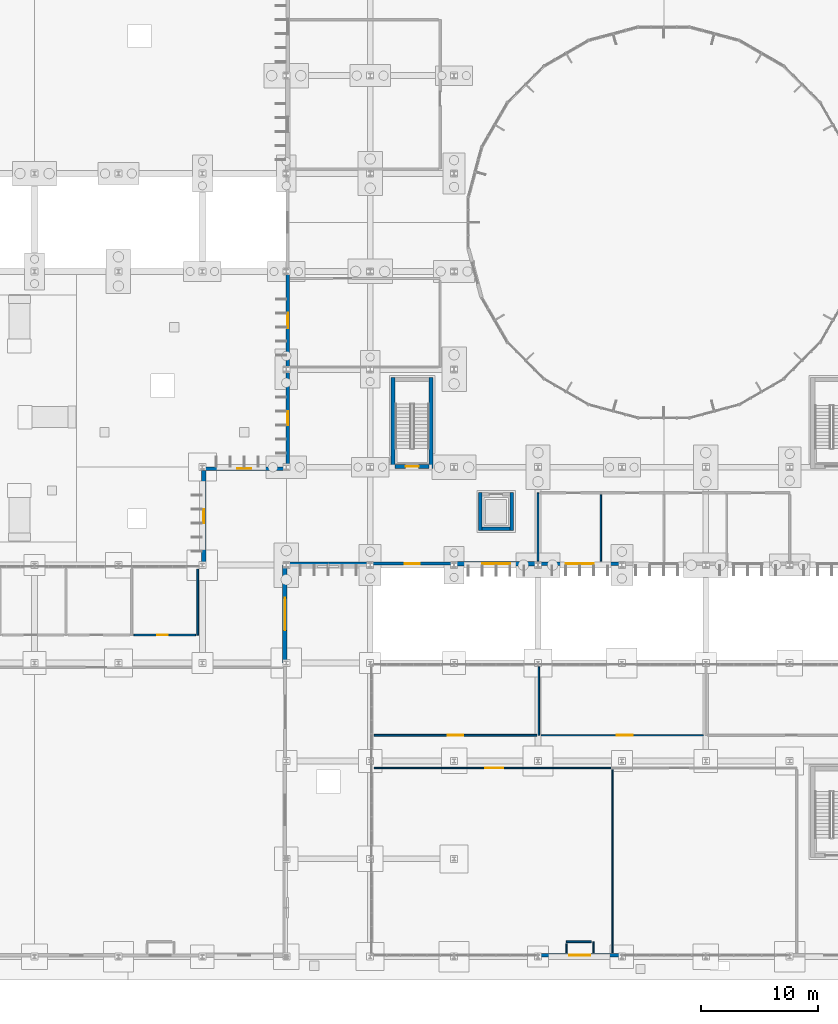
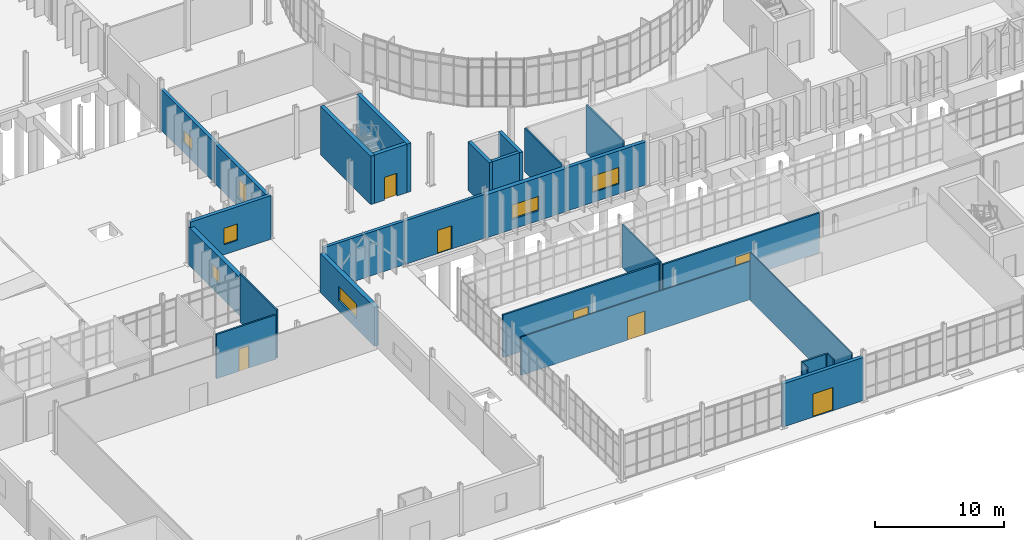
# One storey, part 92 of 118: 28 walls, 7 doors, 7 windows, 14 openings.
"""IFC4 building model written with IfcOpenShell, lengths in metres."""

from ifc_helpers import new_model, si_unit, direction, frame, frame_2d, origin, place, context, subcontext, project, spatial, rectangle, extrude, material, layer, layer_set, type_object, element, fill, save


model = new_model("IFC4")

# Units and contexts
model_context = context("Model", 3, precision=1e-05, world=origin(), true_north=direction((0.0, 1.0)))
body_context = subcontext(model_context, "Body", "Model", "MODEL_VIEW")
ifc_project = project(units=[si_unit("LENGTHUNIT", "METRE"), si_unit("AREAUNIT", "SQUARE_METRE"), si_unit("VOLUMEUNIT", "CUBIC_METRE"), si_unit("PLANEANGLEUNIT", "RADIAN"), si_unit("MASSUNIT", "GRAM", prefix="KILO")], contexts=[model_context])

# Site, building, storey
site_placement = place(None, origin())
site = spatial("IfcSite", under=ifc_project, at=site_placement, CompositionType="ELEMENT")
building_placement = place(site_placement, origin())
building = spatial("IfcBuilding", under=site, at=building_placement, Name="Qelthora Terrace Specialist Clinic", CompositionType="ELEMENT")
storey_placement = place(building_placement, origin())
storey = spatial("IfcBuildingStorey", under=building, at=storey_placement, Name="L00", CompositionType="ELEMENT", Elevation=0.0)

# Walls
ifc_material_1 = material(Name="Concrete C40/50", Category="concrete")
ifc_layer_1 = layer(ifc_material_1, 0.300048828125)
ifc_layer_set_1 = layer_set([ifc_layer_1], Name="Concrete C40/50")
wall_type_1 = type_object("IfcWallType", Name="WAL-CORE-300-C40", PredefinedType="SHEAR", material=ifc_layer_set_1)
for number, where, z_axis, x_axis, name in (
    (1, (110.25, 36.550048828125, 0.0), (0.0, 0.0, 1.0), (0.0, 1.0, 0.0), "Lift PL-01 L00 west shaft wall"),
    (2, (112.949951171875, 36.550048828125, 0.0), (0.0, 0.0, 1.0), (0.0, 1.0, 0.0), "Lift PL-01 L00 east shaft wall"),
):
    element("IfcWall", number, at=place(storey_placement, frame(where, z_axis=z_axis, x_axis=x_axis)), inside=storey, type_object=wall_type_1, Name=name, PredefinedType="SHEAR", context=body_context, shape_type="SweptSolid", body=[
        extrude(rectangle(XDim=3.300048828125, YDim=0.300048828125, at=frame_2d((1.64990234375, 0.0))), origin(), (0.0, 0.0, 1.0), 4.580078125),
    ])
wall_1_placement = place(storey_placement, frame((110.39990234375, 36.699951171875, 0.0), z_axis=(0.0, 0.0, 1.0), x_axis=(1.0, 0.0, 0.0)))
element("IfcWall", 3, at=wall_1_placement, inside=storey, type_object=wall_type_1, Name="Lift PL-01 L00 south shaft wall", PredefinedType="SHEAR", context=body_context, shape_type="SweptSolid", body=[
    extrude(rectangle(XDim=2.400146484375, YDim=0.300048828125, at=frame_2d((1.2001953125, 0.0))), origin(), (0.0, 0.0, 1.0), 4.580078125),
])
ifc_layer_2 = layer(ifc_material_1, 0.35009765625)
ifc_layer_set_2 = layer_set([ifc_layer_2], Name="Concrete C40/50")
wall_type_2 = type_object("IfcWallType", Name="WAL-CORE-350-C40", PredefinedType="SHEAR", material=ifc_layer_set_2)
for number, where, z_axis, x_axis, name in (
    (4, (102.77490234375, 41.89990234375, 0.0), (0.0, 0.0, 1.0), (0.0, 1.0, 0.0), "ST-05 L00 west shear core wall"),
    (5, (106.02490234375, 41.89990234375, 0.0), (0.0, 0.0, 1.0), (0.0, 1.0, 0.0), "ST-05 L00 east shear core wall"),
):
    element("IfcWall", number, at=place(storey_placement, frame(where, z_axis=z_axis, x_axis=x_axis)), inside=storey, type_object=wall_type_2, Name=name, PredefinedType="SHEAR", context=body_context, shape_type="SweptSolid", body=[
        extrude(rectangle(XDim=7.800048828125, YDim=0.35009765625, at=frame_2d((3.89990234375, 0.0))), origin(), (0.0, 0.0, 1.0), 4.580078125),
    ])

# Wall, opening, door
wall_2_placement = place(storey_placement, frame((102.949951171875, 42.074951171875, 0.0), z_axis=(0.0, 0.0, 1.0), x_axis=(1.0, 0.0, 0.0)))
wall_2 = element("IfcWall", 6, at=wall_2_placement, inside=storey, type_object=wall_type_2, Name="ST-05 L00 south shear core wall", PredefinedType="SHEAR", context=body_context, shape_type="SweptSolid", body=[
    extrude(rectangle(XDim=2.900146484375, YDim=0.35009765625, at=frame_2d((1.4501953125, 0.0))), origin(), (0.0, 0.0, 1.0), 4.580078125),
])
opening_1_placement = place(wall_2_placement, frame((0.89990234375, 0.0, 0.0)))
opening_1 = element("IfcOpeningElement", 7, at=opening_1_placement, cuts=wall_2, Name="Opening D-ST-05-L00", PredefinedType="OPENING", context=body_context, shape_type="SweptSolid", body=[
    extrude(rectangle(XDim=1.10009765625, YDim=2.14990234375, at=frame_2d((0.550048828125, 1.074951171875))), frame((0.0, 0.18505859375, 0.0), z_axis=(0.0, -1.0, 0.0), x_axis=(1.0, 0.0, 0.0)), (0.0, 0.0, 1.0), 0.3701171875),
])
ifc_material_2 = material(Name="Steel S355", Category="steel")
door_type_1 = type_object("IfcDoorType", Name="DOR-STAIR-1100X2150", OperationType="NOTDEFINED", PredefinedType="DOOR", material=ifc_material_2)
door_1_placement = place(opening_1_placement, frame((1.10009765625, 0.0, 0.0), z_axis=(0.0, 0.0, 1.0), x_axis=(-1.0, 0.0, 0.0)))
door_1 = element("IfcDoor", 8, at=door_1_placement, inside=storey, type_object=door_type_1, Name="Stair fire door D-ST-05-L00", OperationType="SINGLE_SWING_RIGHT", OverallHeight=2.14990234375, OverallWidth=1.10009765625, PredefinedType="DOOR", context=body_context, shape_type="SweptSolid", body=[
    extrude(rectangle(XDim=1.10009765625, YDim=2.14990234375, at=frame_2d((0.550048828125, 1.074951171875))), frame((0.0, 0.02490234375, 0.0), z_axis=(0.0, -1.0, 0.0), x_axis=(1.0, 0.0, 0.0)), (0.0, 0.0, 1.0), 0.050048828125),
])
fill(opening_1, door_1)

ifc_material_3 = material(Name="Precast concrete C40/50", Category="concrete")
ifc_layer_3 = layer(ifc_material_3, 0.260009765625)
ifc_layer_set_3 = layer_set([ifc_layer_3], Name="Precast concrete C40/50")
wall_type_3 = type_object("IfcWallType", Name="WAL-EXT-260-PC40", PredefinedType="SOLIDWALL", material=ifc_layer_set_3)
wall_3_placement = place(storey_placement, frame((100.800048828125, 33.719970703125, 0.0), z_axis=(0.0, 0.0, 1.0), x_axis=(1.0, 0.0, 0.0)))
wall_3 = element("IfcWall", 9, at=wall_3_placement, inside=storey, type_object=wall_type_3, Name="L00 external precast wall 49", PredefinedType="SOLIDWALL", context=body_context, shape_type="SweptSolid", body=[
    extrude(rectangle(XDim=7.199951171875, YDim=0.260009765625, at=frame_2d((3.60009765625, 0.0))), origin(), (0.0, 0.0, 1.0), 4.12890625),
])
opening_2_placement = place(wall_3_placement, frame((2.949951171875, 0.0, 0.0)))
opening_2 = element("IfcOpeningElement", 10, at=opening_2_placement, cuts=wall_3, Name="Opening DE-ST05-EXIT", PredefinedType="OPENING", context=body_context, shape_type="SweptSolid", body=[
    extrude(rectangle(XDim=1.300048828125, YDim=2.199951171875, at=frame_2d((0.64990234375, 1.10009765625))), frame((0.0, 0.139892578125, 0.0), z_axis=(0.0, -1.0, 0.0), x_axis=(1.0, 0.0, 0.0)), (0.0, 0.0, 1.0), 0.280029296875),
])
door_type_2 = type_object("IfcDoorType", Name="DOR-EXT-1300X2200", OperationType="NOTDEFINED", PredefinedType="DOOR", material=ifc_material_2)
door_2_placement = place(opening_2_placement, frame((1.300048828125, 0.0, 0.0), z_axis=(0.0, 0.0, 1.0), x_axis=(-1.0, 0.0, 0.0)))
door_2 = element("IfcDoor", 11, at=door_2_placement, inside=storey, type_object=door_type_2, Name="Exterior entrance/exit door DE-ST05-EXIT", OperationType="SINGLE_SWING_RIGHT", OverallHeight=2.199951171875, OverallWidth=1.300048828125, PredefinedType="DOOR", context=body_context, shape_type="SweptSolid", body=[
    extrude(rectangle(XDim=1.300048828125, YDim=2.199951171875, at=frame_2d((0.64990234375, 1.10009765625))), frame((0.0, 0.02490234375, 0.0), z_axis=(0.0, -1.0, 0.0), x_axis=(1.0, 0.0, 0.0)), (0.0, 0.0, 1.0), 0.050048828125),
])
fill(opening_2, door_2)

# Wall, opening, window
ifc_layer_4 = layer(ifc_material_3, 0.280029296875)
ifc_layer_set_4 = layer_set([ifc_layer_4], Name="Precast concrete C40/50")
wall_type_4 = type_object("IfcWallType", Name="WAL-EXT-280-PC40", PredefinedType="SOLIDWALL", material=ifc_layer_set_4)
wall_4_placement = place(storey_placement, frame((93.719970703125, 50.39990234375, 0.0), z_axis=(0.0, 0.0, 1.0), x_axis=(0.0, 1.0, 0.0)))
wall_4 = element("IfcWall", 12, at=wall_4_placement, inside=storey, type_object=wall_type_4, Name="L00 external precast wall 13", PredefinedType="SOLIDWALL", context=body_context, shape_type="SweptSolid", body=[
    extrude(rectangle(XDim=8.400146484375, YDim=0.280029296875, at=frame_2d((4.2001953125, 0.0))), origin(), (0.0, 0.0, 1.0), 3.84912109375),
])
opening_3_placement = place(wall_4_placement, frame((3.52490234375, 0.0, 0.949951171875)))
opening_3 = element("IfcOpeningElement", 13, at=opening_3_placement, cuts=wall_4, Name="Opening WN-L00-009", PredefinedType="OPENING", context=body_context, shape_type="SweptSolid", body=[
    extrude(rectangle(XDim=1.35009765625, YDim=1.14990234375, at=frame_2d((0.675048828125, 0.574951171875))), frame((0.0, 0.14990234375, 0.0), z_axis=(0.0, -1.0, 0.0), x_axis=(1.0, 0.0, 0.0)), (0.0, 0.0, 1.0), 0.300048828125),
])
ifc_material_4 = material(Name="Low-E triple-silver insulating glass", Category="glass")
window_type_1 = type_object("IfcWindowType", Name="WIN-1350X1150", PartitioningType="SINGLE_PANEL", PredefinedType="WINDOW", material=ifc_material_4)
window_1_placement = place(opening_3_placement, origin())
window_1 = element("IfcWindow", 14, at=window_1_placement, inside=storey, type_object=window_type_1, Name="Clinical window WN-L00-009", OverallHeight=1.14990234375, OverallWidth=1.35009765625, PartitioningType="SINGLE_PANEL", PredefinedType="WINDOW", context=body_context, shape_type="SweptSolid", body=[
    extrude(rectangle(XDim=1.35009765625, YDim=1.14990234375, at=frame_2d((0.675048828125, 0.574951171875))), frame((0.0, 0.030029296875, 0.0), z_axis=(0.0, -1.0, 0.0), x_axis=(1.0, 0.0, 0.0)), (0.0, 0.0, 1.0), 0.06005859375),
])
fill(opening_3, window_1)

# Wall
wall_5_placement = place(storey_placement, frame((93.60009765625, 33.719970703125, 0.0), z_axis=(0.0, 0.0, 1.0), x_axis=(1.0, 0.0, 0.0)))
element("IfcWall", 15, at=wall_5_placement, inside=storey, type_object=wall_type_4, Name="L00 external precast wall 48", PredefinedType="SOLIDWALL", context=body_context, shape_type="SweptSolid", body=[
    extrude(rectangle(XDim=7.199951171875, YDim=0.280029296875, at=frame_2d((3.60009765625, 0.0))), origin(), (0.0, 0.0, 1.0), 4.12890625),
])

# Wall, opening, window
ifc_layer_5 = layer(ifc_material_3, 0.300048828125)
ifc_layer_set_5 = layer_set([ifc_layer_5], Name="Precast concrete C40/50")
wall_type_5 = type_object("IfcWallType", Name="WAL-EXT-300-PC40", PredefinedType="SOLIDWALL", material=ifc_layer_set_5)
wall_6_placement = place(storey_placement, frame((93.719970703125, 42.0, 0.0), z_axis=(0.0, 0.0, 1.0), x_axis=(0.0, 1.0, 0.0)))
wall_6 = element("IfcWall", 16, at=wall_6_placement, inside=storey, type_object=wall_type_5, Name="L00 external precast wall 12", PredefinedType="SOLIDWALL", context=body_context, shape_type="SweptSolid", body=[
    extrude(rectangle(XDim=8.39990234375, YDim=0.300048828125, at=frame_2d((4.199951171875, 0.0))), origin(), (0.0, 0.0, 1.0), 3.77197265625),
])
opening_4_placement = place(wall_6_placement, frame((3.60009765625, 0.0, 0.949951171875)))
opening_4 = element("IfcOpeningElement", 17, at=opening_4_placement, cuts=wall_6, Name="Opening WN-L00-008", PredefinedType="OPENING", context=body_context, shape_type="SweptSolid", body=[
    extrude(rectangle(XDim=1.199951171875, YDim=1.75, at=frame_2d((0.60009765625, 0.875))), frame((0.0, 0.159912109375, 0.0), z_axis=(0.0, -1.0, 0.0), x_axis=(1.0, 0.0, 0.0)), (0.0, 0.0, 1.0), 0.320068359375),
])
window_type_2 = type_object("IfcWindowType", Name="WIN-1200X1750", PartitioningType="SINGLE_PANEL", PredefinedType="WINDOW", material=ifc_material_4)
window_2_placement = place(opening_4_placement, origin())
window_2 = element("IfcWindow", 18, at=window_2_placement, inside=storey, type_object=window_type_2, Name="Clinical window WN-L00-008", OverallHeight=1.75, OverallWidth=1.199951171875, PartitioningType="SINGLE_PANEL", PredefinedType="WINDOW", context=body_context, shape_type="SweptSolid", body=[
    extrude(rectangle(XDim=1.199951171875, YDim=1.75, at=frame_2d((0.60009765625, 0.875))), frame((0.0, 0.030029296875, 0.0), z_axis=(0.0, -1.0, 0.0), x_axis=(1.0, 0.0, 0.0)), (0.0, 0.0, 1.0), 0.06005859375),
])
fill(opening_4, window_2)

ifc_layer_6 = layer(ifc_material_3, 0.320068359375)
ifc_layer_set_6 = layer_set([ifc_layer_6], Name="Precast concrete C40/50")
wall_type_6 = type_object("IfcWallType", Name="WAL-EXT-320-PC40", PredefinedType="SOLIDWALL", material=ifc_layer_set_6)
wall_7_placement = place(storey_placement, frame((86.39990234375, 41.8798828125, 0.0), z_axis=(0.0, 0.0, 1.0), x_axis=(1.0, 0.0, 0.0)))
wall_7 = element("IfcWall", 19, at=wall_7_placement, inside=storey, type_object=wall_type_6, Name="L00 external precast wall 11", PredefinedType="SOLIDWALL", context=body_context, shape_type="SweptSolid", body=[
    extrude(rectangle(XDim=7.2001953125, YDim=0.320068359375, at=frame_2d((3.60009765625, 0.0))), origin(), (0.0, 0.0, 1.0), 4.12890625),
])
opening_5_placement = place(wall_7_placement, frame((3.0, 0.0, 0.949951171875)))
opening_5 = element("IfcOpeningElement", 20, at=opening_5_placement, cuts=wall_7, Name="Opening WN-L00-007", PredefinedType="OPENING", context=body_context, shape_type="SweptSolid", body=[
    extrude(rectangle(XDim=1.199951171875, YDim=1.550048828125, at=frame_2d((0.60009765625, 0.77490234375))), frame((0.0, 0.169921875, 0.0), z_axis=(0.0, -1.0, 0.0), x_axis=(1.0, 0.0, 0.0)), (0.0, 0.0, 1.0), 0.340087890625),
])
window_type_3 = type_object("IfcWindowType", Name="WIN-1200X1550", PartitioningType="SINGLE_PANEL", PredefinedType="WINDOW", material=ifc_material_4)
window_3_placement = place(opening_5_placement, origin())
window_3 = element("IfcWindow", 21, at=window_3_placement, inside=storey, type_object=window_type_3, Name="Clinical window WN-L00-007", OverallHeight=1.550048828125, OverallWidth=1.199951171875, PartitioningType="SINGLE_PANEL", PredefinedType="WINDOW", context=body_context, shape_type="SweptSolid", body=[
    extrude(rectangle(XDim=1.199951171875, YDim=1.550048828125, at=frame_2d((0.60009765625, 0.77490234375))), frame((0.0, 0.030029296875, 0.0), z_axis=(0.0, -1.0, 0.0), x_axis=(1.0, 0.0, 0.0)), (0.0, 0.0, 1.0), 0.06005859375),
])
fill(opening_5, window_3)

wall_8_placement = place(storey_placement, frame((115.199951171875, 33.719970703125, 0.0), z_axis=(0.0, 0.0, 1.0), x_axis=(1.0, 0.0, 0.0)))
wall_8 = element("IfcWall", 22, at=wall_8_placement, inside=storey, type_object=wall_type_6, Name="L00 external precast wall 51", PredefinedType="SOLIDWALL", context=body_context, shape_type="SweptSolid", body=[
    extrude(rectangle(XDim=7.199951171875, YDim=0.320068359375, at=frame_2d((3.60009765625, 0.0))), origin(), (0.0, 0.0, 1.0), 4.08203125),
])
opening_6_placement = place(wall_8_placement, frame((2.39990234375, 0.0, 0.949951171875)))
opening_6 = element("IfcOpeningElement", 23, at=opening_6_placement, cuts=wall_8, Name="Opening WN-L00-039", PredefinedType="OPENING", context=body_context, shape_type="SweptSolid", body=[
    extrude(rectangle(XDim=2.39990234375, YDim=1.550048828125, at=frame_2d((1.199951171875, 0.77490234375))), frame((0.0, 0.169921875, 0.0), z_axis=(0.0, -1.0, 0.0), x_axis=(1.0, 0.0, 0.0)), (0.0, 0.0, 1.0), 0.340087890625),
])
window_type_4 = type_object("IfcWindowType", Name="WIN-2400X1550", PartitioningType="DOUBLE_PANEL_VERTICAL", PredefinedType="WINDOW", material=ifc_material_4)
window_4_placement = place(opening_6_placement, origin())
window_4 = element("IfcWindow", 24, at=window_4_placement, inside=storey, type_object=window_type_4, Name="Clinical window WN-L00-039", OverallHeight=1.550048828125, OverallWidth=2.39990234375, PartitioningType="SINGLE_PANEL", PredefinedType="WINDOW", context=body_context, shape_type="SweptSolid", body=[
    extrude(rectangle(XDim=2.39990234375, YDim=1.550048828125, at=frame_2d((1.199951171875, 0.77490234375))), frame((0.0, 0.030029296875, 0.0), z_axis=(0.0, -1.0, 0.0), x_axis=(1.0, 0.0, 0.0)), (0.0, 0.0, 1.0), 0.06005859375),
])
fill(opening_6, window_4)

# Wall, opening, door
wall_9_placement = place(storey_placement, frame((115.199951171875, 0.1201171875, 0.0), z_axis=(0.0, 0.0, 1.0), x_axis=(1.0, 0.0, 0.0)))
wall_9 = element("IfcWall", 25, at=wall_9_placement, inside=storey, type_object=wall_type_6, Name="L00 external precast wall 61", PredefinedType="SOLIDWALL", context=body_context, shape_type="SweptSolid", body=[
    extrude(rectangle(XDim=7.199951171875, YDim=0.320068359375, at=frame_2d((3.60009765625, 0.0))), origin(), (0.0, 0.0, 1.0), 4.08203125),
])
opening_7_placement = place(wall_9_placement, frame((2.699951171875, 0.0, 0.0)))
opening_7 = element("IfcOpeningElement", 26, at=opening_7_placement, cuts=wall_9, Name="Opening DE-CAFE-01", PredefinedType="OPENING", context=body_context, shape_type="SweptSolid", body=[
    extrude(rectangle(XDim=1.800048828125, YDim=2.199951171875, at=frame_2d((0.89990234375, 1.10009765625))), frame((0.0, 0.169921875, 0.0), z_axis=(0.0, -1.0, 0.0), x_axis=(1.0, 0.0, 0.0)), (0.0, 0.0, 1.0), 0.340087890625),
])
door_type_3 = type_object("IfcDoorType", Name="DOR-EXT-1800X2200", OperationType="NOTDEFINED", PredefinedType="DOOR", material=ifc_material_2)
door_3_placement = place(opening_7_placement, frame((1.800048828125, 0.0, 0.0), z_axis=(0.0, 0.0, 1.0), x_axis=(-1.0, 0.0, 0.0)))
door_3 = element("IfcDoor", 27, at=door_3_placement, inside=storey, type_object=door_type_3, Name="Exterior entrance/exit door DE-CAFE-01", OperationType="DOUBLE_DOOR_SINGLE_SWING", OverallHeight=2.199951171875, OverallWidth=1.800048828125, PredefinedType="DOOR", context=body_context, shape_type="SweptSolid", body=[
    extrude(rectangle(XDim=1.800048828125, YDim=2.199951171875, at=frame_2d((0.89990234375, 1.10009765625))), frame((0.0, 0.02490234375, 0.0), z_axis=(0.0, -1.0, 0.0), x_axis=(1.0, 0.0, 0.0)), (0.0, 0.0, 1.0), 0.050048828125),
])
fill(opening_7, door_3)

# Wall, opening, window
ifc_layer_7 = layer(ifc_material_3, 0.3798828125)
ifc_layer_set_7 = layer_set([ifc_layer_7], Name="Precast concrete C40/50")
wall_type_7 = type_object("IfcWallType", Name="WAL-EXT-380-PC40", PredefinedType="SOLIDWALL", material=ifc_layer_set_7)
wall_10_placement = place(storey_placement, frame((86.52001953125, 33.60009765625, 0.0), z_axis=(0.0, 0.0, 1.0), x_axis=(0.0, 1.0, 0.0)))
wall_10 = element("IfcWall", 28, at=wall_10_placement, inside=storey, type_object=wall_type_7, Name="L00 external precast wall 10", PredefinedType="SOLIDWALL", context=body_context, shape_type="SweptSolid", body=[
    extrude(rectangle(XDim=8.39990234375, YDim=0.3798828125, at=frame_2d((4.199951171875, 0.0))), origin(), (0.0, 0.0, 1.0), 3.614990234375),
])
opening_8_placement = place(wall_10_placement, frame((3.60009765625, 0.0, 0.949951171875)))
opening_8 = element("IfcOpeningElement", 29, at=opening_8_placement, cuts=wall_10, Name="Opening WN-L00-006", PredefinedType="OPENING", context=body_context, shape_type="SweptSolid", body=[
    extrude(rectangle(XDim=1.199951171875, YDim=1.35009765625, at=frame_2d((0.60009765625, 0.675048828125))), frame((0.0, 0.199951171875, 0.0), z_axis=(0.0, -1.0, 0.0), x_axis=(1.0, 0.0, 0.0)), (0.0, 0.0, 1.0), 0.39990234375),
])
window_type_5 = type_object("IfcWindowType", Name="WIN-1200X1350", PartitioningType="SINGLE_PANEL", PredefinedType="WINDOW", material=ifc_material_4)
window_5_placement = place(opening_8_placement, origin())
window_5 = element("IfcWindow", 30, at=window_5_placement, inside=storey, type_object=window_type_5, Name="Clinical window WN-L00-006", OverallHeight=1.35009765625, OverallWidth=1.199951171875, PartitioningType="SINGLE_PANEL", PredefinedType="WINDOW", context=body_context, shape_type="SweptSolid", body=[
    extrude(rectangle(XDim=1.199951171875, YDim=1.35009765625, at=frame_2d((0.60009765625, 0.675048828125))), frame((0.0, 0.030029296875, 0.0), z_axis=(0.0, -1.0, 0.0), x_axis=(1.0, 0.0, 0.0)), (0.0, 0.0, 1.0), 0.06005859375),
])
fill(opening_8, window_5)

wall_11_placement = place(storey_placement, frame((108.0, 33.719970703125, 0.0), z_axis=(0.0, 0.0, 1.0), x_axis=(1.0, 0.0, 0.0)))
wall_11 = element("IfcWall", 31, at=wall_11_placement, inside=storey, type_object=wall_type_7, Name="L00 external precast wall 50", PredefinedType="SOLIDWALL", context=body_context, shape_type="SweptSolid", body=[
    extrude(rectangle(XDim=7.199951171875, YDim=0.3798828125, at=frame_2d((3.60009765625, 0.0))), origin(), (0.0, 0.0, 1.0), 4.08203125),
])
opening_9_placement = place(wall_11_placement, frame((2.39990234375, 0.0, 0.949951171875)))
opening_9 = element("IfcOpeningElement", 32, at=opening_9_placement, cuts=wall_11, Name="Opening WN-L00-038", PredefinedType="OPENING", context=body_context, shape_type="SweptSolid", body=[
    extrude(rectangle(XDim=2.39990234375, YDim=1.35009765625, at=frame_2d((1.199951171875, 0.675048828125))), frame((0.0, 0.199951171875, 0.0), z_axis=(0.0, -1.0, 0.0), x_axis=(1.0, 0.0, 0.0)), (0.0, 0.0, 1.0), 0.39990234375),
])
window_type_6 = type_object("IfcWindowType", Name="WIN-2400X1350", PartitioningType="DOUBLE_PANEL_VERTICAL", PredefinedType="WINDOW", material=ifc_material_4)
window_6_placement = place(opening_9_placement, origin())
window_6 = element("IfcWindow", 33, at=window_6_placement, inside=storey, type_object=window_type_6, Name="Clinical window WN-L00-038", OverallHeight=1.35009765625, OverallWidth=2.39990234375, PartitioningType="SINGLE_PANEL", PredefinedType="WINDOW", context=body_context, shape_type="SweptSolid", body=[
    extrude(rectangle(XDim=2.39990234375, YDim=1.35009765625, at=frame_2d((1.199951171875, 0.675048828125))), frame((0.0, 0.030029296875, 0.0), z_axis=(0.0, -1.0, 0.0), x_axis=(1.0, 0.0, 0.0)), (0.0, 0.0, 1.0), 0.06005859375),
])
fill(opening_9, window_6)

wall_12_placement = place(storey_placement, frame((93.47998046875, 25.199951171875, 0.0), z_axis=(0.0, 0.0, 1.0), x_axis=(0.0, 1.0, 0.0)))
wall_12 = element("IfcWall", 34, at=wall_12_placement, inside=storey, type_object=wall_type_7, Name="L00 external precast wall 60", PredefinedType="SOLIDWALL", context=body_context, shape_type="SweptSolid", body=[
    extrude(rectangle(XDim=8.400146484375, YDim=0.3798828125, at=frame_2d((4.2001953125, 0.0))), origin(), (0.0, 0.0, 1.0), 3.69091796875),
])
opening_10_placement = place(wall_12_placement, frame((2.800048828125, 0.0, 0.949951171875)))
opening_10 = element("IfcOpeningElement", 35, at=opening_10_placement, cuts=wall_12, Name="Opening WN-L00-046", PredefinedType="OPENING", context=body_context, shape_type="SweptSolid", body=[
    extrude(rectangle(XDim=2.800048828125, YDim=1.35009765625, at=frame_2d((1.39990234375, 0.675048828125))), frame((0.0, 0.199951171875, 0.0), z_axis=(0.0, -1.0, 0.0), x_axis=(1.0, 0.0, 0.0)), (0.0, 0.0, 1.0), 0.39990234375),
])
window_type_7 = type_object("IfcWindowType", Name="WIN-2800X1350", PartitioningType="DOUBLE_PANEL_VERTICAL", PredefinedType="WINDOW", material=ifc_material_4)
window_7_placement = place(opening_10_placement, origin())
window_7 = element("IfcWindow", 36, at=window_7_placement, inside=storey, type_object=window_type_7, Name="Clinical window WN-L00-046", OverallHeight=1.35009765625, OverallWidth=2.800048828125, PartitioningType="SINGLE_PANEL", PredefinedType="WINDOW", context=body_context, shape_type="SweptSolid", body=[
    extrude(rectangle(XDim=2.800048828125, YDim=1.35009765625, at=frame_2d((1.39990234375, 0.675048828125))), frame((0.0, 0.030029296875, 0.0), z_axis=(0.0, -1.0, 0.0), x_axis=(1.0, 0.0, 0.0)), (0.0, 0.0, 1.0), 0.06005859375),
])
fill(opening_10, window_7)

# Wall
ifc_material_5 = material(Name="Gypsum acoustic wallboard", Category="gypsum")
ifc_layer_8 = layer(ifc_material_5, 0.139892578125)
ifc_layer_set_8 = layer_set([ifc_layer_8], Name="Gypsum acoustic wallboard")
wall_type_8 = type_object("IfcWallType", Name="WAL-INT-ACU-140", PredefinedType="PARTITIONING", material=ifc_layer_set_8)
wall_13_placement = place(storey_placement, frame((120.60009765625, 39.6201171875, 0.0), z_axis=(0.0, 0.0, 1.0), x_axis=(0.0, -1.0, 0.0)))
element("IfcWall", 37, at=wall_13_placement, inside=storey, type_object=wall_type_8, Name="Interior clinical partition IWAL-L00-0087", PredefinedType="PARTITIONING", context=body_context, shape_type="SweptSolid", body=[
    extrude(rectangle(XDim=5.68017578125, YDim=0.139892578125, at=frame_2d((2.840087890625, 0.0))), origin(), (0.0, 0.0, 1.0), 4.544921875),
])

# Wall, opening, door
ifc_material_6 = material(Name="Gypsum fire-rated wallboard", Category="gypsum")
ifc_layer_9 = layer(ifc_material_6, 0.159912109375)
ifc_layer_set_9 = layer_set([ifc_layer_9], Name="Gypsum fire-rated wallboard")
wall_type_9 = type_object("IfcWallType", Name="WAL-INT-COR-160", PredefinedType="PARTITIONING", material=ifc_layer_set_9)
wall_14_placement = place(storey_placement, frame((115.094970703125, 19.0, 0.0), z_axis=(0.0, 0.0, 1.0), x_axis=(-1.0, 0.0, 0.0)))
wall_14 = element("IfcWall", 38, at=wall_14_placement, inside=storey, type_object=wall_type_9, Name="Interior clinical partition IWAL-L00-0077", PredefinedType="PARTITIONING", context=body_context, shape_type="SweptSolid", body=[
    extrude(rectangle(XDim=13.955078125, YDim=0.159912109375, at=frame_2d((6.9775390625, 0.0))), origin(), (0.0, 0.0, 1.0), 4.008056640625),
])
opening_11_placement = place(wall_14_placement, frame((6.302490234375, 0.0, 0.0)))
opening_11 = element("IfcOpeningElement", 39, at=opening_11_placement, cuts=wall_14, Name="Opening DI-L00-0029", PredefinedType="OPENING", context=body_context, shape_type="SweptSolid", body=[
    extrude(rectangle(XDim=1.35009765625, YDim=2.14990234375, at=frame_2d((0.675048828125, 1.074951171875))), frame((0.0, 0.08984375, 0.0), z_axis=(0.0, -1.0, 0.0), x_axis=(1.0, 0.0, 0.0)), (0.0, 0.0, 1.0), 0.179931640625),
])
door_type_4 = type_object("IfcDoorType", Name="DOR-IMG-1350X2150", OperationType="NOTDEFINED", PredefinedType="DOOR", material=ifc_material_2)
door_4_placement = place(opening_11_placement, frame((1.35009765625, 0.0, 0.0), z_axis=(0.0, 0.0, 1.0), x_axis=(-1.0, 0.0, 0.0)))
door_4 = element("IfcDoor", 40, at=door_4_placement, inside=storey, type_object=door_type_4, Name="Interior clinical door DI-L00-0029", OperationType="SINGLE_SWING_RIGHT", OverallHeight=2.14990234375, OverallWidth=1.35009765625, PredefinedType="DOOR", context=body_context, shape_type="SweptSolid", body=[
    extrude(rectangle(XDim=1.35009765625, YDim=2.14990234375, at=frame_2d((0.675048828125, 1.074951171875))), frame((0.0, 0.02490234375, 0.0), z_axis=(0.0, -1.0, 0.0), x_axis=(1.0, 0.0, 0.0)), (0.0, 0.0, 1.0), 0.050048828125),
])
fill(opening_11, door_4)

wall_15_placement = place(storey_placement, frame((129.419921875, 19.0, 0.0), z_axis=(0.0, 0.0, 1.0), x_axis=(-1.0, 0.0, 0.0)))
wall_15 = element("IfcWall", 41, at=wall_15_placement, inside=storey, type_object=wall_type_9, Name="Interior clinical partition IWAL-L00-0079", PredefinedType="PARTITIONING", context=body_context, shape_type="SweptSolid", body=[
    extrude(rectangle(XDim=13.96484375, YDim=0.159912109375, at=frame_2d((6.982421875, 0.0))), origin(), (0.0, 0.0, 1.0), 3.77490234375),
])
opening_12_placement = place(wall_15_placement, frame((6.08251953125, 0.0, 0.0)))
opening_12 = element("IfcOpeningElement", 42, at=opening_12_placement, cuts=wall_15, Name="Opening DI-L00-0030", PredefinedType="OPENING", context=body_context, shape_type="SweptSolid", body=[
    extrude(rectangle(XDim=1.39990234375, YDim=2.199951171875, at=frame_2d((0.699951171875, 1.10009765625))), frame((0.0, 0.08984375, 0.0), z_axis=(0.0, -1.0, 0.0), x_axis=(1.0, 0.0, 0.0)), (0.0, 0.0, 1.0), 0.179931640625),
])
door_type_5 = type_object("IfcDoorType", Name="DOR-MRI-1400X2200", OperationType="NOTDEFINED", PredefinedType="DOOR", material=ifc_material_2)
door_5_placement = place(opening_12_placement, frame((1.39990234375, 0.0, 0.0), z_axis=(0.0, 0.0, 1.0), x_axis=(-1.0, 0.0, 0.0)))
door_5 = element("IfcDoor", 43, at=door_5_placement, inside=storey, type_object=door_type_5, Name="Interior clinical door DI-L00-0030", OperationType="SINGLE_SWING_LEFT", OverallHeight=2.199951171875, OverallWidth=1.39990234375, PredefinedType="DOOR", context=body_context, shape_type="SweptSolid", body=[
    extrude(rectangle(XDim=1.39990234375, YDim=2.199951171875, at=frame_2d((0.699951171875, 1.10009765625))), frame((0.0, 0.02490234375, 0.0), z_axis=(0.0, -1.0, 0.0), x_axis=(1.0, 0.0, 0.0)), (0.0, 0.0, 1.0), 0.050048828125),
])
fill(opening_12, door_5)

# Wall
ifc_layer_10 = layer(ifc_material_4, 0.110107421875)
ifc_layer_set_10 = layer_set([ifc_layer_10], Name="Low-E triple-silver insulating glass")
wall_type_10 = type_object("IfcWallType", Name="WAL-INT-GLA-110", PredefinedType="MOVABLE", material=ifc_layer_set_10)
wall_16_placement = place(storey_placement, frame((119.9599609375, 0.340087890625, 0.0), z_axis=(0.0, 0.0, 1.0), x_axis=(0.0, 1.0, 0.0)))
element("IfcWall", 44, at=wall_16_placement, inside=storey, type_object=wall_type_10, Name="Interior clinical partition IWAL-L00-0069", PredefinedType="MOVABLE", context=body_context, shape_type="SweptSolid", body=[
    extrude(rectangle(XDim=0.93994140625, YDim=0.110107421875, at=frame_2d((0.469970703125, 0.0))), origin(), (0.0, 0.0, 1.0), 4.544921875),
])

# Wall, opening, door
wall_17_placement = place(storey_placement, frame((101.139892578125, 16.199951171875, 0.0), z_axis=(0.0, 0.0, 1.0), x_axis=(1.0, 0.0, 0.0)))
wall_17 = element("IfcWall", 45, at=wall_17_placement, inside=storey, type_object=wall_type_10, Name="Interior clinical partition IWAL-L00-0072", PredefinedType="MOVABLE", context=body_context, shape_type="SweptSolid", body=[
    extrude(rectangle(XDim=20.460205078125, YDim=0.110107421875, at=frame_2d((10.22998046875, 0.0))), origin(), (0.0, 0.0, 1.0), 3.617919921875),
])
opening_13_placement = place(wall_17_placement, frame((9.52490234375, 0.0, 0.0)))
opening_13 = element("IfcOpeningElement", 46, at=opening_13_placement, cuts=wall_17, Name="Opening DI-L00-0027", PredefinedType="OPENING", context=body_context, shape_type="SweptSolid", body=[
    extrude(rectangle(XDim=1.550048828125, YDim=2.199951171875, at=frame_2d((0.77490234375, 1.10009765625))), frame((0.0, 0.06494140625, 0.0), z_axis=(0.0, -1.0, 0.0), x_axis=(1.0, 0.0, 0.0)), (0.0, 0.0, 1.0), 0.130126953125),
])
ifc_material_7 = material(Name="Aluminium anodized bronze", Category="aluminium")
door_type_6 = type_object("IfcDoorType", Name="DOR-LIB-1550X2200", OperationType="NOTDEFINED", PredefinedType="DOOR", material=ifc_material_7)
door_6_placement = place(opening_13_placement, frame((1.550048828125, 0.0, 0.0), z_axis=(0.0, 0.0, 1.0), x_axis=(-1.0, 0.0, 0.0)))
door_6 = element("IfcDoor", 47, at=door_6_placement, inside=storey, type_object=door_type_6, Name="Interior clinical door DI-L00-0027", OperationType="DOUBLE_DOOR_SINGLE_SWING", OverallHeight=2.199951171875, OverallWidth=1.550048828125, PredefinedType="DOOR", context=body_context, shape_type="SweptSolid", body=[
    extrude(rectangle(XDim=1.550048828125, YDim=2.199951171875, at=frame_2d((0.77490234375, 1.10009765625))), frame((0.0, 0.02490234375, 0.0), z_axis=(0.0, -1.0, 0.0), x_axis=(1.0, 0.0, 0.0)), (0.0, 0.0, 1.0), 0.050048828125),
])
fill(opening_13, door_6)

# Walls
wall_18_placement = place(storey_placement, frame((121.60009765625, 16.02001953125, 0.0), z_axis=(0.0, 0.0, 1.0), x_axis=(0.0, -1.0, 0.0)))
element("IfcWall", 48, at=wall_18_placement, inside=storey, type_object=wall_type_10, Name="Interior clinical partition IWAL-L00-0073", PredefinedType="MOVABLE", context=body_context, shape_type="SweptSolid", body=[
    extrude(rectangle(XDim=15.679931640625, YDim=0.110107421875, at=frame_2d((7.83984375, 0.0))), origin(), (0.0, 0.0, 1.0), 4.544921875),
])
ifc_layer_11 = layer(ifc_material_5, 0.10009765625)
ifc_layer_set_11 = layer_set([ifc_layer_11], Name="Gypsum acoustic wallboard")
wall_type_11 = type_object("IfcWallType", Name="WAL-INT-LGT-100", PredefinedType="PARTITIONING", material=ifc_layer_set_11)
wall_19_placement = place(storey_placement, frame((117.639892578125, 1.10009765625, 0.0), z_axis=(0.0, 0.0, 1.0), x_axis=(0.0, -1.0, 0.0)))
element("IfcWall", 49, at=wall_19_placement, inside=storey, type_object=wall_type_11, Name="Interior clinical partition IWAL-L00-0071", PredefinedType="PARTITIONING", context=body_context, shape_type="SweptSolid", body=[
    extrude(rectangle(XDim=0.760009765625, YDim=0.10009765625, at=frame_2d((0.3798828125, 0.0))), origin(), (0.0, 0.0, 1.0), 4.544921875),
])
ifc_layer_12 = layer(ifc_material_5, 0.1201171875)
ifc_layer_set_12 = layer_set([ifc_layer_12], Name="Gypsum acoustic wallboard")
wall_type_12 = type_object("IfcWallType", Name="WAL-INT-STD-120", PredefinedType="PARTITIONING", material=ifc_layer_set_12)
wall_20_placement = place(storey_placement, frame((115.27490234375, 24.860107421875, 0.0), z_axis=(0.0, 0.0, 1.0), x_axis=(0.0, -1.0, 0.0)))
element("IfcWall", 50, at=wall_20_placement, inside=storey, type_object=wall_type_12, Name="Interior clinical partition IWAL-L00-0076", PredefinedType="PARTITIONING", context=body_context, shape_type="SweptSolid", body=[
    extrude(rectangle(XDim=5.860107421875, YDim=0.1201171875, at=frame_2d((2.93017578125, 0.0))), origin(), (0.0, 0.0, 1.0), 4.0849609375),
])
ifc_material_8 = material(Name="Gypsum moisture-resistant", Category="gypsum")
ifc_layer_13 = layer(ifc_material_8, 0.14990234375)
ifc_layer_set_13 = layer_set([ifc_layer_13], Name="Gypsum moisture-resistant")
wall_type_13 = type_object("IfcWallType", Name="WAL-INT-WET-150", PredefinedType="PLUMBINGWALL", material=ifc_layer_set_13)
wall_21_placement = place(storey_placement, frame((86.0, 33.260009765625, 0.0), z_axis=(0.0, 0.0, 1.0), x_axis=(0.0, -1.0, 0.0)))
element("IfcWall", 51, at=wall_21_placement, inside=storey, type_object=wall_type_13, Name="Interior clinical partition IWAL-L00-0039", PredefinedType="PLUMBINGWALL", context=body_context, shape_type="SweptSolid", body=[
    extrude(rectangle(XDim=5.659912109375, YDim=0.14990234375, at=frame_2d((2.830078125, 0.0))), origin(), (0.0, 0.0, 1.0), 4.544921875),
])

# Wall, opening, door
wall_22_placement = place(storey_placement, frame((85.820068359375, 27.60009765625, 0.0), z_axis=(0.0, 0.0, 1.0), x_axis=(-1.0, 0.0, 0.0)))
wall_22 = element("IfcWall", 52, at=wall_22_placement, inside=storey, type_object=wall_type_13, Name="Interior clinical partition IWAL-L00-0040", PredefinedType="PLUMBINGWALL", context=body_context, shape_type="SweptSolid", body=[
    extrude(rectangle(XDim=5.2900390625, YDim=0.14990234375, at=frame_2d((2.64501953125, 0.0))), origin(), (0.0, 0.0, 1.0), 4.18701171875),
])
opening_14_placement = place(wall_22_placement, frame((2.39501953125, 0.0, 0.0)))
opening_14 = element("IfcOpeningElement", 53, at=opening_14_placement, cuts=wall_22, Name="Opening DI-L00-0016", PredefinedType="OPENING", context=body_context, shape_type="SweptSolid", body=[
    extrude(rectangle(XDim=0.89990234375, YDim=2.10009765625, at=frame_2d((0.449951171875, 1.050048828125))), frame((0.0, 0.0849609375, 0.0), z_axis=(0.0, -1.0, 0.0), x_axis=(1.0, 0.0, 0.0)), (0.0, 0.0, 1.0), 0.169921875),
])
ifc_material_9 = material(Name="Glulam timber GL28h", Category="wood")
door_type_7 = type_object("IfcDoorType", Name="DOR-WC-900X2100", OperationType="NOTDEFINED", PredefinedType="DOOR", material=ifc_material_9)
door_7_placement = place(opening_14_placement, frame((0.89990234375, 0.0, 0.0), z_axis=(0.0, 0.0, 1.0), x_axis=(-1.0, 0.0, 0.0)))
door_7 = element("IfcDoor", 54, at=door_7_placement, inside=storey, type_object=door_type_7, Name="Interior clinical door DI-L00-0016", OperationType="SINGLE_SWING_LEFT", OverallHeight=2.10009765625, OverallWidth=0.89990234375, PredefinedType="DOOR", context=body_context, shape_type="SweptSolid", body=[
    extrude(rectangle(XDim=0.89990234375, YDim=2.10009765625, at=frame_2d((0.449951171875, 1.050048828125))), frame((0.0, 0.02490234375, 0.0), z_axis=(0.0, -1.0, 0.0), x_axis=(1.0, 0.0, 0.0)), (0.0, 0.0, 1.0), 0.050048828125),
])
fill(opening_14, door_7)

# Walls
wall_23_placement = place(storey_placement, frame((119.780029296875, 1.280029296875, 0.0), z_axis=(0.0, 0.0, 1.0), x_axis=(-1.0, 0.0, 0.0)))
element("IfcWall", 55, at=wall_23_placement, inside=storey, type_object=wall_type_13, Name="Interior clinical partition IWAL-L00-0070", PredefinedType="PLUMBINGWALL", context=body_context, shape_type="SweptSolid", body=[
    extrude(rectangle(XDim=2.14013671875, YDim=0.14990234375, at=frame_2d((1.070068359375, 0.0))), origin(), (0.0, 0.0, 1.0), 4.544921875),
])
wall_24_placement = place(storey_placement, frame((115.199951171875, 33.93994140625, 0.0), z_axis=(0.0, 0.0, 1.0), x_axis=(0.0, 1.0, 0.0)))
element("IfcWall", 56, at=wall_24_placement, inside=storey, type_object=wall_type_13, Name="Interior clinical partition IWAL-L00-0085", PredefinedType="PLUMBINGWALL", context=body_context, shape_type="SweptSolid", body=[
    extrude(rectangle(XDim=5.860107421875, YDim=0.14990234375, at=frame_2d((2.93017578125, 0.0))), origin(), (0.0, 0.0, 1.0), 4.135009765625),
])

save(model, "model.ifc")
